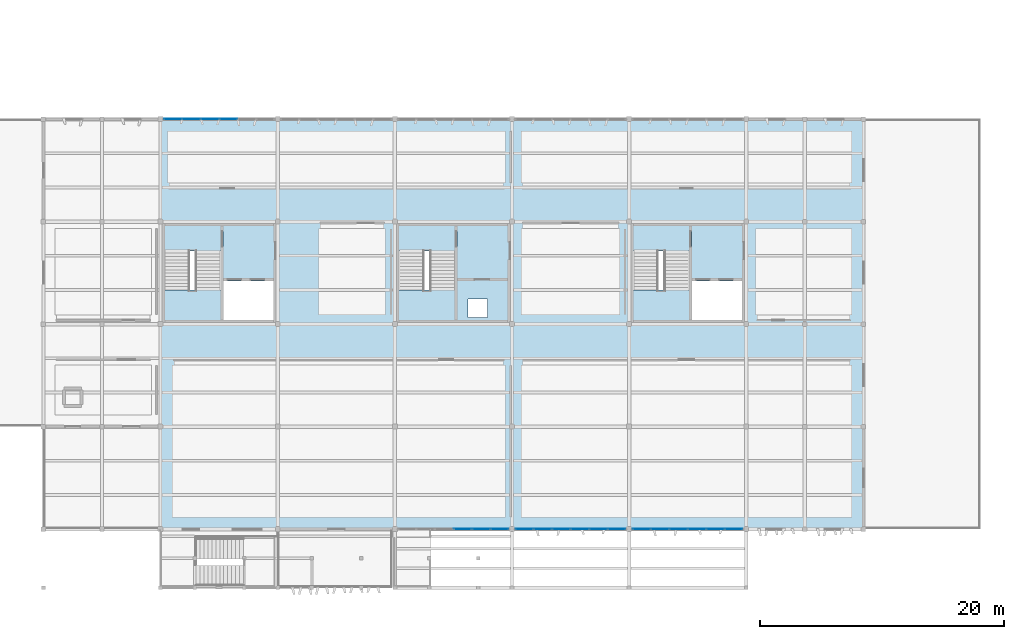
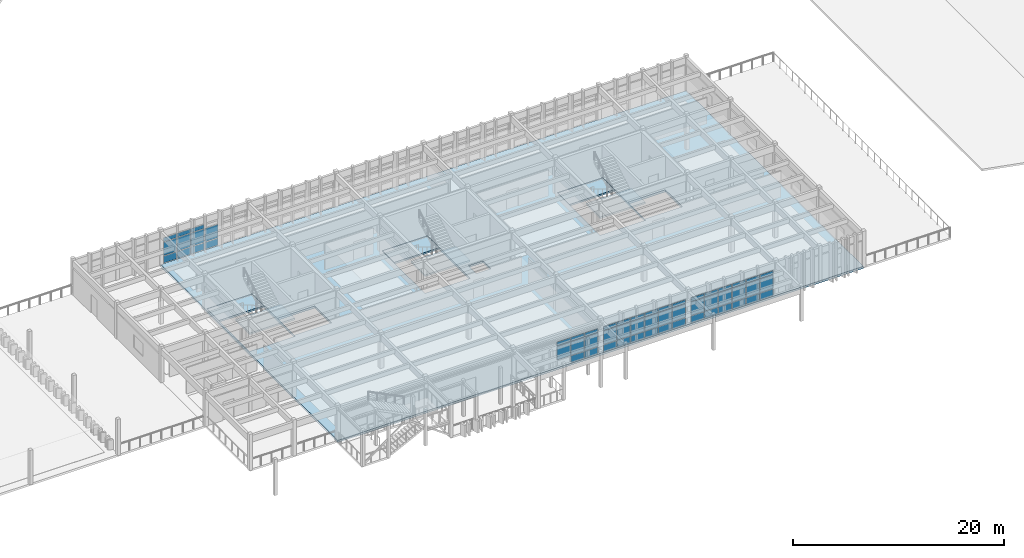
# One storey, part 19 of 42: 55 plates, 7 slabs, 7 elements without a shape of their own.
"""IFC4 building model written with IfcOpenShell, lengths in metres."""

from ifc_helpers import new_model, si_unit, direction, frame, origin, origin_2d, place, context, subcontext, project, spatial, polyline, rectangle, outline, extrude, material, layer, layer_set, type_object, element, aggregate, save


model = new_model("IFC4")

# Units and contexts
model_context = context("Model", 3, precision=1e-05, world=origin(), true_north=direction((0.0, 1.0)))
body_context = subcontext(model_context, "Body", "Model", "MODEL_VIEW")
ifc_project = project(units=[si_unit("LENGTHUNIT", "METRE"), si_unit("AREAUNIT", "SQUARE_METRE"), si_unit("VOLUMEUNIT", "CUBIC_METRE"), si_unit("PLANEANGLEUNIT", "RADIAN"), si_unit("MASSUNIT", "GRAM", prefix="KILO")], contexts=[model_context])

# Site, building, storey
site_placement = place(None, origin())
site = spatial("IfcSite", under=ifc_project, at=site_placement, CompositionType="ELEMENT")
building_placement = place(site_placement, origin())
building = spatial("IfcBuilding", under=site, at=building_placement, Name="Kolvemor Railside Polytechnic", CompositionType="ELEMENT")
storey_placement = place(building_placement, frame((0.0, 0.0, 14.39990234375)))
storey = spatial("IfcBuildingStorey", under=building, at=storey_placement, Name="L03", CompositionType="ELEMENT", Elevation=14.39990234375)

# Curtain wall, plates
ifc_material_1 = material(Name="Anodised marine aluminium and laminated low-E glass", Category="aluminium")
ifc_layer_1 = layer(ifc_material_1, 0.179931640625, Name="CW-UNIT-STD")
ifc_layer_set_1 = layer_set([ifc_layer_1], Name="Anodised marine aluminium and laminated low-E glass")
curtain_wall_type = type_object("IfcCurtainWallType", Name="CW-UNIT-STD", PredefinedType="USERDEFINED", material=ifc_layer_set_1)
curtain_wall_1_placement = place(storey_placement, origin())
curtain_wall_1 = element("IfcCurtainWall", 1, at=curtain_wall_1_placement, inside=storey, type_object=curtain_wall_type, Name="Curtain Wall L03-101", ObjectType="UNITISED CURTAIN WALL", PredefinedType="USERDEFINED")
ifc_material_2 = material(Name="Hurricane-laminated solar-control low-E glass", Category="glass")
ifc_layer_2 = layer(ifc_material_2, 0.033935546875, Name="CWP-GLZ-07")
ifc_layer_set_2 = layer_set([ifc_layer_2], Name="Hurricane-laminated solar-control low-E glass")
plate_type_1 = type_object("IfcPlateType", Name="CWP-GLZ-07", PredefinedType="CURTAIN_PANEL", material=ifc_layer_set_2)
plate_1_placement = place(storey_placement, frame((91.9599609375, 4.800048828125, 0.937744140625), z_axis=(0.0, 0.0, 1.0), x_axis=(1.0, 0.0, 0.0)))
plate_1 = element("IfcPlate", 2, at=plate_1_placement, type_object=plate_type_1, Name="CW-STD panel 4.2", PredefinedType="CURTAIN_PANEL", context=body_context, shape_type="SweptSolid", body=[
    extrude(rectangle(XDim=1.445068359375, YDim=0.033935546875, at=origin_2d()), origin(), (0.0, 0.0, 1.0), 1.52490234375),
])
plate_2_placement = place(storey_placement, frame((91.9599609375, 4.800048828125, 2.53759765625), z_axis=(0.0, 0.0, 1.0), x_axis=(1.0, 0.0, 0.0)))
plate_2 = element("IfcPlate", 3, at=plate_2_placement, type_object=plate_type_1, Name="CW-STD panel 4.3", PredefinedType="CURTAIN_PANEL", context=body_context, shape_type="SweptSolid", body=[
    extrude(rectangle(XDim=1.445068359375, YDim=0.033935546875, at=origin_2d()), origin(), (0.0, 0.0, 1.0), 0.4375),
])
plate_3_placement = place(storey_placement, frame((93.47998046875, 4.800048828125, 0.074951171875), z_axis=(0.0, 0.0, 1.0), x_axis=(1.0, 0.0, 0.0)))
plate_3 = element("IfcPlate", 4, at=plate_3_placement, type_object=plate_type_1, Name="CW-STD panel 5.1", PredefinedType="CURTAIN_PANEL", context=body_context, shape_type="SweptSolid", body=[
    extrude(rectangle(XDim=1.445068359375, YDim=0.033935546875, at=origin_2d()), origin(), (0.0, 0.0, 1.0), 0.78759765625),
])
plate_4_placement = place(storey_placement, frame((93.47998046875, 4.800048828125, 0.937744140625), z_axis=(0.0, 0.0, 1.0), x_axis=(1.0, 0.0, 0.0)))
plate_4 = element("IfcPlate", 5, at=plate_4_placement, type_object=plate_type_1, Name="CW-STD panel 5.2", PredefinedType="CURTAIN_PANEL", context=body_context, shape_type="SweptSolid", body=[
    extrude(rectangle(XDim=1.445068359375, YDim=0.033935546875, at=origin_2d()), origin(), (0.0, 0.0, 1.0), 1.52490234375),
])
plate_5_placement = place(storey_placement, frame((93.47998046875, 4.800048828125, 2.53759765625), z_axis=(0.0, 0.0, 1.0), x_axis=(1.0, 0.0, 0.0)))
plate_5 = element("IfcPlate", 6, at=plate_5_placement, type_object=plate_type_1, Name="CW-STD panel 5.3", PredefinedType="CURTAIN_PANEL", context=body_context, shape_type="SweptSolid", body=[
    extrude(rectangle(XDim=1.445068359375, YDim=0.033935546875, at=origin_2d()), origin(), (0.0, 0.0, 1.0), 0.4375),
])
plate_6_placement = place(storey_placement, frame((94.981201171875, 4.800048828125, 0.074951171875), z_axis=(0.0, 0.0, 1.0), x_axis=(1.0, 0.0, 0.0)))
plate_6 = element("IfcPlate", 7, at=plate_6_placement, type_object=plate_type_1, Name="CW-STD panel 6.1", PredefinedType="CURTAIN_PANEL", context=body_context, shape_type="SweptSolid", body=[
    extrude(rectangle(XDim=1.407470703125, YDim=0.033935546875, at=origin_2d()), origin(), (0.0, 0.0, 1.0), 0.78759765625),
])
plate_7_placement = place(storey_placement, frame((94.981201171875, 4.800048828125, 0.937744140625), z_axis=(0.0, 0.0, 1.0), x_axis=(1.0, 0.0, 0.0)))
plate_7 = element("IfcPlate", 8, at=plate_7_placement, type_object=plate_type_1, Name="CW-STD panel 6.2", PredefinedType="CURTAIN_PANEL", context=body_context, shape_type="SweptSolid", body=[
    extrude(rectangle(XDim=1.407470703125, YDim=0.033935546875, at=origin_2d()), origin(), (0.0, 0.0, 1.0), 1.52490234375),
])
plate_8_placement = place(storey_placement, frame((94.981201171875, 4.800048828125, 2.53759765625), z_axis=(0.0, 0.0, 1.0), x_axis=(1.0, 0.0, 0.0)))
plate_8 = element("IfcPlate", 9, at=plate_8_placement, type_object=plate_type_1, Name="CW-STD panel 6.3", PredefinedType="CURTAIN_PANEL", context=body_context, shape_type="SweptSolid", body=[
    extrude(rectangle(XDim=1.407470703125, YDim=0.033935546875, at=origin_2d()), origin(), (0.0, 0.0, 1.0), 0.4375),
])
aggregate(curtain_wall_1, [plate_1, plate_2, plate_3, plate_4, plate_5, plate_6, plate_7, plate_8])

curtain_wall_2_placement = place(storey_placement, origin())
curtain_wall_2 = element("IfcCurtainWall", 10, at=curtain_wall_2_placement, inside=storey, type_object=curtain_wall_type, Name="Curtain Wall L03-126", ObjectType="UNITISED CURTAIN WALL", PredefinedType="USERDEFINED")
plate_9_placement = place(storey_placement, frame((72.760009765625, 38.39990234375, 0.06494140625), z_axis=(0.0, 0.0, 1.0), x_axis=(-1.0, 0.0, 0.0)))
plate_9 = element("IfcPlate", 11, at=plate_9_placement, type_object=plate_type_1, Name="CW-STD panel 3.1", PredefinedType="CURTAIN_PANEL", context=body_context, shape_type="SweptSolid", body=[
    extrude(rectangle(XDim=1.455078125, YDim=0.033935546875, at=origin_2d()), origin(), (0.0, 0.0, 1.0), 0.802490234375),
])
plate_10_placement = place(storey_placement, frame((72.760009765625, 38.39990234375, 0.9326171875), z_axis=(0.0, 0.0, 1.0), x_axis=(-1.0, 0.0, 0.0)))
plate_10 = element("IfcPlate", 12, at=plate_10_placement, type_object=plate_type_1, Name="CW-STD panel 3.2", PredefinedType="CURTAIN_PANEL", context=body_context, shape_type="SweptSolid", body=[
    extrude(rectangle(XDim=1.455078125, YDim=0.033935546875, at=origin_2d()), origin(), (0.0, 0.0, 1.0), 1.534912109375),
])
plate_11_placement = place(storey_placement, frame((71.239990234375, 38.39990234375, 0.06494140625), z_axis=(0.0, 0.0, 1.0), x_axis=(-1.0, 0.0, 0.0)))
plate_11 = element("IfcPlate", 13, at=plate_11_placement, type_object=plate_type_1, Name="CW-STD panel 4.1", PredefinedType="CURTAIN_PANEL", context=body_context, shape_type="SweptSolid", body=[
    extrude(rectangle(XDim=1.455078125, YDim=0.033935546875, at=origin_2d()), origin(), (0.0, 0.0, 1.0), 0.802490234375),
])
plate_12_placement = place(storey_placement, frame((71.239990234375, 38.39990234375, 0.9326171875), z_axis=(0.0, 0.0, 1.0), x_axis=(-1.0, 0.0, 0.0)))
plate_12 = element("IfcPlate", 14, at=plate_12_placement, type_object=plate_type_1, Name="CW-STD panel 4.2", PredefinedType="CURTAIN_PANEL", context=body_context, shape_type="SweptSolid", body=[
    extrude(rectangle(XDim=1.455078125, YDim=0.033935546875, at=origin_2d()), origin(), (0.0, 0.0, 1.0), 1.534912109375),
])
plate_13_placement = place(storey_placement, frame((71.239990234375, 38.39990234375, 2.53271484375), z_axis=(0.0, 0.0, 1.0), x_axis=(-1.0, 0.0, 0.0)))
plate_13 = element("IfcPlate", 15, at=plate_13_placement, type_object=plate_type_1, Name="CW-STD panel 4.3", PredefinedType="CURTAIN_PANEL", context=body_context, shape_type="SweptSolid", body=[
    extrude(rectangle(XDim=1.455078125, YDim=0.033935546875, at=origin_2d()), origin(), (0.0, 0.0, 1.0), 0.452392578125),
])
plate_14_placement = place(storey_placement, frame((69.719970703125, 38.39990234375, 0.06494140625), z_axis=(0.0, 0.0, 1.0), x_axis=(-1.0, 0.0, 0.0)))
plate_14 = element("IfcPlate", 16, at=plate_14_placement, type_object=plate_type_1, Name="CW-STD panel 5.1", PredefinedType="CURTAIN_PANEL", context=body_context, shape_type="SweptSolid", body=[
    extrude(rectangle(XDim=1.455078125, YDim=0.033935546875, at=origin_2d()), origin(), (0.0, 0.0, 1.0), 0.802490234375),
])
plate_15_placement = place(storey_placement, frame((69.719970703125, 38.39990234375, 0.9326171875), z_axis=(0.0, 0.0, 1.0), x_axis=(-1.0, 0.0, 0.0)))
plate_15 = element("IfcPlate", 17, at=plate_15_placement, type_object=plate_type_1, Name="CW-STD panel 5.2", PredefinedType="CURTAIN_PANEL", context=body_context, shape_type="SweptSolid", body=[
    extrude(rectangle(XDim=1.455078125, YDim=0.033935546875, at=origin_2d()), origin(), (0.0, 0.0, 1.0), 1.534912109375),
])
plate_16_placement = place(storey_placement, frame((69.719970703125, 38.39990234375, 2.53271484375), z_axis=(0.0, 0.0, 1.0), x_axis=(-1.0, 0.0, 0.0)))
plate_16 = element("IfcPlate", 18, at=plate_16_placement, type_object=plate_type_1, Name="CW-STD panel 5.3", PredefinedType="CURTAIN_PANEL", context=body_context, shape_type="SweptSolid", body=[
    extrude(rectangle(XDim=1.455078125, YDim=0.033935546875, at=origin_2d()), origin(), (0.0, 0.0, 1.0), 0.452392578125),
])
plate_17_placement = place(storey_placement, frame((68.21630859375, 38.39990234375, 0.06494140625), z_axis=(0.0, 0.0, 1.0), x_axis=(-1.0, 0.0, 0.0)))
plate_17 = element("IfcPlate", 19, at=plate_17_placement, type_object=plate_type_1, Name="CW-STD panel 6.1", PredefinedType="CURTAIN_PANEL", context=body_context, shape_type="SweptSolid", body=[
    extrude(rectangle(XDim=1.422607421875, YDim=0.033935546875, at=origin_2d()), origin(), (0.0, 0.0, 1.0), 0.802490234375),
])
plate_18_placement = place(storey_placement, frame((68.21630859375, 38.39990234375, 0.9326171875), z_axis=(0.0, 0.0, 1.0), x_axis=(-1.0, 0.0, 0.0)))
plate_18 = element("IfcPlate", 20, at=plate_18_placement, type_object=plate_type_1, Name="CW-STD panel 6.2", PredefinedType="CURTAIN_PANEL", context=body_context, shape_type="SweptSolid", body=[
    extrude(rectangle(XDim=1.422607421875, YDim=0.033935546875, at=origin_2d()), origin(), (0.0, 0.0, 1.0), 1.534912109375),
])
plate_19_placement = place(storey_placement, frame((68.21630859375, 38.39990234375, 2.53271484375), z_axis=(0.0, 0.0, 1.0), x_axis=(-1.0, 0.0, 0.0)))
plate_19 = element("IfcPlate", 21, at=plate_19_placement, type_object=plate_type_1, Name="CW-STD panel 6.3", PredefinedType="CURTAIN_PANEL", context=body_context, shape_type="SweptSolid", body=[
    extrude(rectangle(XDim=1.422607421875, YDim=0.033935546875, at=origin_2d()), origin(), (0.0, 0.0, 1.0), 0.452392578125),
])
aggregate(curtain_wall_2, [plate_9, plate_10, plate_11, plate_12, plate_13, plate_14, plate_15, plate_16, plate_17, plate_18, plate_19])

curtain_wall_3_placement = place(storey_placement, origin())
curtain_wall_3 = element("IfcCurtainWall", 22, at=curtain_wall_3_placement, inside=storey, type_object=curtain_wall_type, Name="Curtain Wall L03-102", ObjectType="UNITISED CURTAIN WALL", PredefinedType="USERDEFINED")
ifc_material_3 = material(Name="Hurricane-laminated solar-control low-E glass", Category="glass")
ifc_layer_3 = layer(ifc_material_3, 0.035888671875, Name="CWP-GLZ-08")
ifc_layer_set_3 = layer_set([ifc_layer_3], Name="Hurricane-laminated solar-control low-E glass")
plate_type_2 = type_object("IfcPlateType", Name="CWP-GLZ-08", PredefinedType="CURTAIN_PANEL", material=ifc_layer_set_3)
plate_20_placement = place(storey_placement, frame((97.018798828125, 4.800048828125, 0.074951171875), z_axis=(0.0, 0.0, 1.0), x_axis=(1.0, 0.0, 0.0)))
plate_20 = element("IfcPlate", 23, at=plate_20_placement, type_object=plate_type_2, Name="CW-STD panel 1.1", PredefinedType="CURTAIN_PANEL", context=body_context, shape_type="SweptSolid", body=[
    extrude(rectangle(XDim=1.407470703125, YDim=0.035888671875, at=origin_2d()), origin(), (0.0, 0.0, 1.0), 0.78759765625),
])
plate_21_placement = place(storey_placement, frame((97.018798828125, 4.800048828125, 0.937744140625), z_axis=(0.0, 0.0, 1.0), x_axis=(1.0, 0.0, 0.0)))
plate_21 = element("IfcPlate", 24, at=plate_21_placement, type_object=plate_type_2, Name="CW-STD panel 1.2", PredefinedType="CURTAIN_PANEL", context=body_context, shape_type="SweptSolid", body=[
    extrude(rectangle(XDim=1.407470703125, YDim=0.035888671875, at=origin_2d()), origin(), (0.0, 0.0, 1.0), 1.52490234375),
])
plate_22_placement = place(storey_placement, frame((97.018798828125, 4.800048828125, 2.53759765625), z_axis=(0.0, 0.0, 1.0), x_axis=(1.0, 0.0, 0.0)))
plate_22 = element("IfcPlate", 25, at=plate_22_placement, type_object=plate_type_2, Name="CW-STD panel 1.3", PredefinedType="CURTAIN_PANEL", context=body_context, shape_type="SweptSolid", body=[
    extrude(rectangle(XDim=1.407470703125, YDim=0.035888671875, at=origin_2d()), origin(), (0.0, 0.0, 1.0), 0.4375),
])
plate_23_placement = place(storey_placement, frame((98.52001953125, 4.800048828125, 0.074951171875), z_axis=(0.0, 0.0, 1.0), x_axis=(1.0, 0.0, 0.0)))
plate_23 = element("IfcPlate", 26, at=plate_23_placement, type_object=plate_type_2, Name="CW-STD panel 2.1", PredefinedType="CURTAIN_PANEL", context=body_context, shape_type="SweptSolid", body=[
    extrude(rectangle(XDim=1.445068359375, YDim=0.035888671875, at=origin_2d()), origin(), (0.0, 0.0, 1.0), 0.78759765625),
])
plate_24_placement = place(storey_placement, frame((98.52001953125, 4.800048828125, 0.937744140625), z_axis=(0.0, 0.0, 1.0), x_axis=(1.0, 0.0, 0.0)))
plate_24 = element("IfcPlate", 27, at=plate_24_placement, type_object=plate_type_2, Name="CW-STD panel 2.2", PredefinedType="CURTAIN_PANEL", context=body_context, shape_type="SweptSolid", body=[
    extrude(rectangle(XDim=1.445068359375, YDim=0.035888671875, at=origin_2d()), origin(), (0.0, 0.0, 1.0), 1.52490234375),
])
plate_25_placement = place(storey_placement, frame((98.52001953125, 4.800048828125, 2.53759765625), z_axis=(0.0, 0.0, 1.0), x_axis=(1.0, 0.0, 0.0)))
plate_25 = element("IfcPlate", 28, at=plate_25_placement, type_object=plate_type_2, Name="CW-STD panel 2.3", PredefinedType="CURTAIN_PANEL", context=body_context, shape_type="SweptSolid", body=[
    extrude(rectangle(XDim=1.445068359375, YDim=0.035888671875, at=origin_2d()), origin(), (0.0, 0.0, 1.0), 0.4375),
])
plate_26_placement = place(storey_placement, frame((100.0400390625, 4.800048828125, 0.074951171875), z_axis=(0.0, 0.0, 1.0), x_axis=(1.0, 0.0, 0.0)))
plate_26 = element("IfcPlate", 29, at=plate_26_placement, type_object=plate_type_2, Name="CW-STD panel 3.1", PredefinedType="CURTAIN_PANEL", context=body_context, shape_type="SweptSolid", body=[
    extrude(rectangle(XDim=1.445068359375, YDim=0.035888671875, at=origin_2d()), origin(), (0.0, 0.0, 1.0), 0.78759765625),
])
plate_27_placement = place(storey_placement, frame((100.0400390625, 4.800048828125, 0.937744140625), z_axis=(0.0, 0.0, 1.0), x_axis=(1.0, 0.0, 0.0)))
plate_27 = element("IfcPlate", 30, at=plate_27_placement, type_object=plate_type_2, Name="CW-STD panel 3.2", PredefinedType="CURTAIN_PANEL", context=body_context, shape_type="SweptSolid", body=[
    extrude(rectangle(XDim=1.445068359375, YDim=0.035888671875, at=origin_2d()), origin(), (0.0, 0.0, 1.0), 1.52490234375),
])
plate_28_placement = place(storey_placement, frame((100.0400390625, 4.800048828125, 2.53759765625), z_axis=(0.0, 0.0, 1.0), x_axis=(1.0, 0.0, 0.0)))
plate_28 = element("IfcPlate", 31, at=plate_28_placement, type_object=plate_type_2, Name="CW-STD panel 3.3", PredefinedType="CURTAIN_PANEL", context=body_context, shape_type="SweptSolid", body=[
    extrude(rectangle(XDim=1.445068359375, YDim=0.035888671875, at=origin_2d()), origin(), (0.0, 0.0, 1.0), 0.4375),
])
plate_29_placement = place(storey_placement, frame((101.56005859375, 4.800048828125, 0.074951171875), z_axis=(0.0, 0.0, 1.0), x_axis=(1.0, 0.0, 0.0)))
plate_29 = element("IfcPlate", 32, at=plate_29_placement, type_object=plate_type_2, Name="CW-STD panel 4.1", PredefinedType="CURTAIN_PANEL", context=body_context, shape_type="SweptSolid", body=[
    extrude(rectangle(XDim=1.445068359375, YDim=0.035888671875, at=origin_2d()), origin(), (0.0, 0.0, 1.0), 0.78759765625),
])
plate_30_placement = place(storey_placement, frame((101.56005859375, 4.800048828125, 0.937744140625), z_axis=(0.0, 0.0, 1.0), x_axis=(1.0, 0.0, 0.0)))
plate_30 = element("IfcPlate", 33, at=plate_30_placement, type_object=plate_type_2, Name="CW-STD panel 4.2", PredefinedType="CURTAIN_PANEL", context=body_context, shape_type="SweptSolid", body=[
    extrude(rectangle(XDim=1.445068359375, YDim=0.035888671875, at=origin_2d()), origin(), (0.0, 0.0, 1.0), 1.52490234375),
])
plate_31_placement = place(storey_placement, frame((101.56005859375, 4.800048828125, 2.53759765625), z_axis=(0.0, 0.0, 1.0), x_axis=(1.0, 0.0, 0.0)))
plate_31 = element("IfcPlate", 34, at=plate_31_placement, type_object=plate_type_2, Name="CW-STD panel 4.3", PredefinedType="CURTAIN_PANEL", context=body_context, shape_type="SweptSolid", body=[
    extrude(rectangle(XDim=1.445068359375, YDim=0.035888671875, at=origin_2d()), origin(), (0.0, 0.0, 1.0), 0.4375),
])
plate_32_placement = place(storey_placement, frame((103.080078125, 4.800048828125, 0.074951171875), z_axis=(0.0, 0.0, 1.0), x_axis=(1.0, 0.0, 0.0)))
plate_32 = element("IfcPlate", 35, at=plate_32_placement, type_object=plate_type_2, Name="CW-STD panel 5.1", PredefinedType="CURTAIN_PANEL", context=body_context, shape_type="SweptSolid", body=[
    extrude(rectangle(XDim=1.445068359375, YDim=0.035888671875, at=origin_2d()), origin(), (0.0, 0.0, 1.0), 0.78759765625),
])
plate_33_placement = place(storey_placement, frame((103.080078125, 4.800048828125, 0.937744140625), z_axis=(0.0, 0.0, 1.0), x_axis=(1.0, 0.0, 0.0)))
plate_33 = element("IfcPlate", 36, at=plate_33_placement, type_object=plate_type_2, Name="CW-STD panel 5.2", PredefinedType="CURTAIN_PANEL", context=body_context, shape_type="SweptSolid", body=[
    extrude(rectangle(XDim=1.445068359375, YDim=0.035888671875, at=origin_2d()), origin(), (0.0, 0.0, 1.0), 1.52490234375),
])
plate_34_placement = place(storey_placement, frame((103.080078125, 4.800048828125, 2.53759765625), z_axis=(0.0, 0.0, 1.0), x_axis=(1.0, 0.0, 0.0)))
plate_34 = element("IfcPlate", 37, at=plate_34_placement, type_object=plate_type_2, Name="CW-STD panel 5.3", PredefinedType="CURTAIN_PANEL", context=body_context, shape_type="SweptSolid", body=[
    extrude(rectangle(XDim=1.445068359375, YDim=0.035888671875, at=origin_2d()), origin(), (0.0, 0.0, 1.0), 0.4375),
])
plate_35_placement = place(storey_placement, frame((104.581298828125, 4.800048828125, 0.074951171875), z_axis=(0.0, 0.0, 1.0), x_axis=(1.0, 0.0, 0.0)))
plate_35 = element("IfcPlate", 38, at=plate_35_placement, type_object=plate_type_2, Name="CW-STD panel 6.1", PredefinedType="CURTAIN_PANEL", context=body_context, shape_type="SweptSolid", body=[
    extrude(rectangle(XDim=1.407470703125, YDim=0.035888671875, at=origin_2d()), origin(), (0.0, 0.0, 1.0), 0.78759765625),
])
plate_36_placement = place(storey_placement, frame((104.581298828125, 4.800048828125, 0.937744140625), z_axis=(0.0, 0.0, 1.0), x_axis=(1.0, 0.0, 0.0)))
plate_36 = element("IfcPlate", 39, at=plate_36_placement, type_object=plate_type_2, Name="CW-STD panel 6.2", PredefinedType="CURTAIN_PANEL", context=body_context, shape_type="SweptSolid", body=[
    extrude(rectangle(XDim=1.407470703125, YDim=0.035888671875, at=origin_2d()), origin(), (0.0, 0.0, 1.0), 1.52490234375),
])
plate_37_placement = place(storey_placement, frame((104.581298828125, 4.800048828125, 2.53759765625), z_axis=(0.0, 0.0, 1.0), x_axis=(1.0, 0.0, 0.0)))
plate_37 = element("IfcPlate", 40, at=plate_37_placement, type_object=plate_type_2, Name="CW-STD panel 6.3", PredefinedType="CURTAIN_PANEL", context=body_context, shape_type="SweptSolid", body=[
    extrude(rectangle(XDim=1.407470703125, YDim=0.035888671875, at=origin_2d()), origin(), (0.0, 0.0, 1.0), 0.4375),
])
aggregate(curtain_wall_3, [plate_20, plate_21, plate_22, plate_23, plate_24, plate_25, plate_26, plate_27, plate_28, plate_29, plate_30, plate_31, plate_32, plate_33, plate_34, plate_35, plate_36, plate_37])

curtain_wall_4_placement = place(storey_placement, origin())
curtain_wall_4 = element("IfcCurtainWall", 41, at=curtain_wall_4_placement, inside=storey, type_object=curtain_wall_type, Name="Curtain Wall L03-103", ObjectType="UNITISED CURTAIN WALL", PredefinedType="USERDEFINED")
ifc_material_4 = material(Name="Hurricane-laminated solar-control low-E glass", Category="glass")
ifc_layer_4 = layer(ifc_material_4, 0.0380859375, Name="CWP-GLZ-09")
ifc_layer_set_4 = layer_set([ifc_layer_4], Name="Hurricane-laminated solar-control low-E glass")
plate_type_3 = type_object("IfcPlateType", Name="CWP-GLZ-09", PredefinedType="CURTAIN_PANEL", material=ifc_layer_set_4)
plate_38_placement = place(storey_placement, frame((106.61865234375, 4.800048828125, 0.074951171875), z_axis=(0.0, 0.0, 1.0), x_axis=(1.0, 0.0, 0.0)))
plate_38 = element("IfcPlate", 42, at=plate_38_placement, type_object=plate_type_3, Name="CW-STD panel 1.1", PredefinedType="CURTAIN_PANEL", context=body_context, shape_type="SweptSolid", body=[
    extrude(rectangle(XDim=1.407470703125, YDim=0.0380859375, at=origin_2d()), origin(), (0.0, 0.0, 1.0), 0.78759765625),
])
plate_39_placement = place(storey_placement, frame((106.61865234375, 4.800048828125, 0.937744140625), z_axis=(0.0, 0.0, 1.0), x_axis=(1.0, 0.0, 0.0)))
plate_39 = element("IfcPlate", 43, at=plate_39_placement, type_object=plate_type_3, Name="CW-STD panel 1.2", PredefinedType="CURTAIN_PANEL", context=body_context, shape_type="SweptSolid", body=[
    extrude(rectangle(XDim=1.407470703125, YDim=0.0380859375, at=origin_2d()), origin(), (0.0, 0.0, 1.0), 1.52490234375),
])
plate_40_placement = place(storey_placement, frame((106.61865234375, 4.800048828125, 2.53759765625), z_axis=(0.0, 0.0, 1.0), x_axis=(1.0, 0.0, 0.0)))
plate_40 = element("IfcPlate", 44, at=plate_40_placement, type_object=plate_type_3, Name="CW-STD panel 1.3", PredefinedType="CURTAIN_PANEL", context=body_context, shape_type="SweptSolid", body=[
    extrude(rectangle(XDim=1.407470703125, YDim=0.0380859375, at=origin_2d()), origin(), (0.0, 0.0, 1.0), 0.4375),
])
plate_41_placement = place(storey_placement, frame((108.1201171875, 4.800048828125, 0.074951171875), z_axis=(0.0, 0.0, 1.0), x_axis=(1.0, 0.0, 0.0)))
plate_41 = element("IfcPlate", 45, at=plate_41_placement, type_object=plate_type_3, Name="CW-STD panel 2.1", PredefinedType="CURTAIN_PANEL", context=body_context, shape_type="SweptSolid", body=[
    extrude(rectangle(XDim=1.445068359375, YDim=0.0380859375, at=origin_2d()), origin(), (0.0, 0.0, 1.0), 0.78759765625),
])
plate_42_placement = place(storey_placement, frame((108.1201171875, 4.800048828125, 0.937744140625), z_axis=(0.0, 0.0, 1.0), x_axis=(1.0, 0.0, 0.0)))
plate_42 = element("IfcPlate", 46, at=plate_42_placement, type_object=plate_type_3, Name="CW-STD panel 2.2", PredefinedType="CURTAIN_PANEL", context=body_context, shape_type="SweptSolid", body=[
    extrude(rectangle(XDim=1.445068359375, YDim=0.0380859375, at=origin_2d()), origin(), (0.0, 0.0, 1.0), 1.52490234375),
])
plate_43_placement = place(storey_placement, frame((108.1201171875, 4.800048828125, 2.53759765625), z_axis=(0.0, 0.0, 1.0), x_axis=(1.0, 0.0, 0.0)))
plate_43 = element("IfcPlate", 47, at=plate_43_placement, type_object=plate_type_3, Name="CW-STD panel 2.3", PredefinedType="CURTAIN_PANEL", context=body_context, shape_type="SweptSolid", body=[
    extrude(rectangle(XDim=1.445068359375, YDim=0.0380859375, at=origin_2d()), origin(), (0.0, 0.0, 1.0), 0.4375),
])
plate_44_placement = place(storey_placement, frame((109.639892578125, 4.800048828125, 0.074951171875), z_axis=(0.0, 0.0, 1.0), x_axis=(1.0, 0.0, 0.0)))
plate_44 = element("IfcPlate", 48, at=plate_44_placement, type_object=plate_type_3, Name="CW-STD panel 3.1", PredefinedType="CURTAIN_PANEL", context=body_context, shape_type="SweptSolid", body=[
    extrude(rectangle(XDim=1.445068359375, YDim=0.0380859375, at=origin_2d()), origin(), (0.0, 0.0, 1.0), 0.78759765625),
])
plate_45_placement = place(storey_placement, frame((109.639892578125, 4.800048828125, 0.937744140625), z_axis=(0.0, 0.0, 1.0), x_axis=(1.0, 0.0, 0.0)))
plate_45 = element("IfcPlate", 49, at=plate_45_placement, type_object=plate_type_3, Name="CW-STD panel 3.2", PredefinedType="CURTAIN_PANEL", context=body_context, shape_type="SweptSolid", body=[
    extrude(rectangle(XDim=1.445068359375, YDim=0.0380859375, at=origin_2d()), origin(), (0.0, 0.0, 1.0), 1.52490234375),
])
plate_46_placement = place(storey_placement, frame((109.639892578125, 4.800048828125, 2.53759765625), z_axis=(0.0, 0.0, 1.0), x_axis=(1.0, 0.0, 0.0)))
plate_46 = element("IfcPlate", 50, at=plate_46_placement, type_object=plate_type_3, Name="CW-STD panel 3.3", PredefinedType="CURTAIN_PANEL", context=body_context, shape_type="SweptSolid", body=[
    extrude(rectangle(XDim=1.445068359375, YDim=0.0380859375, at=origin_2d()), origin(), (0.0, 0.0, 1.0), 0.4375),
])
plate_47_placement = place(storey_placement, frame((111.159912109375, 4.800048828125, 0.074951171875), z_axis=(0.0, 0.0, 1.0), x_axis=(1.0, 0.0, 0.0)))
plate_47 = element("IfcPlate", 51, at=plate_47_placement, type_object=plate_type_3, Name="CW-STD panel 4.1", PredefinedType="CURTAIN_PANEL", context=body_context, shape_type="SweptSolid", body=[
    extrude(rectangle(XDim=1.445068359375, YDim=0.0380859375, at=origin_2d()), origin(), (0.0, 0.0, 1.0), 0.78759765625),
])
plate_48_placement = place(storey_placement, frame((111.159912109375, 4.800048828125, 0.937744140625), z_axis=(0.0, 0.0, 1.0), x_axis=(1.0, 0.0, 0.0)))
plate_48 = element("IfcPlate", 52, at=plate_48_placement, type_object=plate_type_3, Name="CW-STD panel 4.2", PredefinedType="CURTAIN_PANEL", context=body_context, shape_type="SweptSolid", body=[
    extrude(rectangle(XDim=1.445068359375, YDim=0.0380859375, at=origin_2d()), origin(), (0.0, 0.0, 1.0), 1.52490234375),
])
plate_49_placement = place(storey_placement, frame((111.159912109375, 4.800048828125, 2.53759765625), z_axis=(0.0, 0.0, 1.0), x_axis=(1.0, 0.0, 0.0)))
plate_49 = element("IfcPlate", 53, at=plate_49_placement, type_object=plate_type_3, Name="CW-STD panel 4.3", PredefinedType="CURTAIN_PANEL", context=body_context, shape_type="SweptSolid", body=[
    extrude(rectangle(XDim=1.445068359375, YDim=0.0380859375, at=origin_2d()), origin(), (0.0, 0.0, 1.0), 0.4375),
])
plate_50_placement = place(storey_placement, frame((112.679931640625, 4.800048828125, 0.074951171875), z_axis=(0.0, 0.0, 1.0), x_axis=(1.0, 0.0, 0.0)))
plate_50 = element("IfcPlate", 54, at=plate_50_placement, type_object=plate_type_3, Name="CW-STD panel 5.1", PredefinedType="CURTAIN_PANEL", context=body_context, shape_type="SweptSolid", body=[
    extrude(rectangle(XDim=1.445068359375, YDim=0.0380859375, at=origin_2d()), origin(), (0.0, 0.0, 1.0), 0.78759765625),
])
plate_51_placement = place(storey_placement, frame((112.679931640625, 4.800048828125, 0.937744140625), z_axis=(0.0, 0.0, 1.0), x_axis=(1.0, 0.0, 0.0)))
plate_51 = element("IfcPlate", 55, at=plate_51_placement, type_object=plate_type_3, Name="CW-STD panel 5.2", PredefinedType="CURTAIN_PANEL", context=body_context, shape_type="SweptSolid", body=[
    extrude(rectangle(XDim=1.445068359375, YDim=0.0380859375, at=origin_2d()), origin(), (0.0, 0.0, 1.0), 1.52490234375),
])
plate_52_placement = place(storey_placement, frame((112.679931640625, 4.800048828125, 2.53759765625), z_axis=(0.0, 0.0, 1.0), x_axis=(1.0, 0.0, 0.0)))
plate_52 = element("IfcPlate", 56, at=plate_52_placement, type_object=plate_type_3, Name="CW-STD panel 5.3", PredefinedType="CURTAIN_PANEL", context=body_context, shape_type="SweptSolid", body=[
    extrude(rectangle(XDim=1.445068359375, YDim=0.0380859375, at=origin_2d()), origin(), (0.0, 0.0, 1.0), 0.4375),
])
plate_53_placement = place(storey_placement, frame((114.18115234375, 4.800048828125, 0.074951171875), z_axis=(0.0, 0.0, 1.0), x_axis=(1.0, 0.0, 0.0)))
plate_53 = element("IfcPlate", 57, at=plate_53_placement, type_object=plate_type_3, Name="CW-STD panel 6.1", PredefinedType="CURTAIN_PANEL", context=body_context, shape_type="SweptSolid", body=[
    extrude(rectangle(XDim=1.407470703125, YDim=0.0380859375, at=origin_2d()), origin(), (0.0, 0.0, 1.0), 0.78759765625),
])
plate_54_placement = place(storey_placement, frame((114.18115234375, 4.800048828125, 0.937744140625), z_axis=(0.0, 0.0, 1.0), x_axis=(1.0, 0.0, 0.0)))
plate_54 = element("IfcPlate", 58, at=plate_54_placement, type_object=plate_type_3, Name="CW-STD panel 6.2", PredefinedType="CURTAIN_PANEL", context=body_context, shape_type="SweptSolid", body=[
    extrude(rectangle(XDim=1.407470703125, YDim=0.0380859375, at=origin_2d()), origin(), (0.0, 0.0, 1.0), 1.52490234375),
])
plate_55_placement = place(storey_placement, frame((114.18115234375, 4.800048828125, 2.53759765625), z_axis=(0.0, 0.0, 1.0), x_axis=(1.0, 0.0, 0.0)))
plate_55 = element("IfcPlate", 59, at=plate_55_placement, type_object=plate_type_3, Name="CW-STD panel 6.3", PredefinedType="CURTAIN_PANEL", context=body_context, shape_type="SweptSolid", body=[
    extrude(rectangle(XDim=1.407470703125, YDim=0.0380859375, at=origin_2d()), origin(), (0.0, 0.0, 1.0), 0.4375),
])
aggregate(curtain_wall_4, [plate_38, plate_39, plate_40, plate_41, plate_42, plate_43, plate_44, plate_45, plate_46, plate_47, plate_48, plate_49, plate_50, plate_51, plate_52, plate_53, plate_54, plate_55])

# Slabs
ifc_material_5 = material(Name="Cross-laminated timber CLT E1", Category="wood")
ifc_layer_5 = layer(ifc_material_5, 0.2451171875, Name="SLB-CLT-245")
ifc_layer_set_5 = layer_set([ifc_layer_5], Name="Cross-laminated timber CLT E1")
slab_type_1 = type_object("IfcSlabType", Name="SLB-CLT-245", PredefinedType="FLOOR", material=ifc_layer_set_5)
slab_1_placement = place(storey_placement, frame((0.0, 0.0, -0.244873046875)))
element("IfcSlab", 60, at=slab_1_placement, inside=storey, type_object=slab_type_1, Name="V2 Shifted Band L03 CLT Slab L03-79", PredefinedType="FLOOR", context=body_context, shape_type="SweptSolid", body=[
    extrude(outline(polyline([(67.199951171875, 4.800048828125), (124.800048828125, 4.800048828125), (124.800048828125, 38.39990234375), (67.199951171875, 38.39990234375), (67.199951171875, 4.800048828125)]), holes=[polyline([(67.340087890625, 21.739990234375), (72.31005859375, 21.739990234375), (72.31005859375, 29.860107421875), (67.340087890625, 29.860107421875), (67.340087890625, 21.739990234375)]), polyline([(72.35009765625, 21.949951171875), (76.449951171875, 21.949951171875), (76.449951171875, 25.14990234375), (72.35009765625, 25.14990234375), (72.35009765625, 21.949951171875)]), polyline([(105.739990234375, 21.739990234375), (110.7099609375, 21.739990234375), (110.7099609375, 29.860107421875), (105.739990234375, 29.860107421875), (105.739990234375, 21.739990234375)]), polyline([(110.75, 21.949951171875), (114.85009765625, 21.949951171875), (114.85009765625, 25.14990234375), (110.75, 25.14990234375), (110.75, 21.949951171875)]), polyline([(86.5400390625, 21.739990234375), (91.510009765625, 21.739990234375), (91.510009765625, 29.860107421875), (86.5400390625, 29.860107421875), (86.5400390625, 21.739990234375)]), polyline([(92.39990234375, 22.14990234375), (94.0, 22.14990234375), (94.0, 23.64990234375), (92.39990234375, 23.64990234375), (92.39990234375, 22.14990234375)])]), origin(), (0.0, 0.0, 1.0), 0.244873046875),
])
ifc_material_6 = material(Name="Concrete C40/50", Category="concrete")
ifc_layer_6 = layer(ifc_material_6, 0.199951171875, Name="SLB-LND-200")
ifc_layer_set_6 = layer_set([ifc_layer_6], Name="Concrete C40/50")
slab_type_2 = type_object("IfcSlabType", Name="SLB-LND-200", PredefinedType="LANDING", material=ifc_layer_set_6)
slab_2_placement = place(storey_placement, frame((0.0, 0.0, -0.199951171875)))
element("IfcSlab", 61, at=slab_2_placement, inside=storey, type_object=slab_type_2, Name="ST-1 Floor Landing L03", PredefinedType="LANDING", context=body_context, shape_type="SweptSolid", body=[
    extrude(outline(polyline([(67.360107421875, 27.60009765625), (72.2900390625, 27.60009765625), (72.2900390625, 29.840087890625), (67.360107421875, 29.840087890625), (67.360107421875, 27.60009765625)])), origin(), (0.0, 0.0, 1.0), 0.199951171875),
])

# Stair, slab
ifc_material_7 = material(Name="Concrete C40/50", Category="concrete")
stair_type = type_object("IfcStairType", Name="STR-CORE-420", PredefinedType="HALF_TURN_STAIR", material=ifc_material_7)
stair_1_placement = place(storey_placement, origin())
stair_1 = element("IfcStair", 62, at=stair_1_placement, inside=storey, type_object=stair_type, Name="Core Stair ST-1 (L03 to L04)", PredefinedType="HALF_TURN_STAIR")
slab_3_placement = place(storey_placement, frame((0.0, 0.0, 1.900146484375)))
slab_3 = element("IfcSlab", 63, at=slab_3_placement, type_object=slab_type_2, Name="ST-1-L03 landing 1", PredefinedType="LANDING", context=body_context, shape_type="SweptSolid", body=[
    extrude(outline(polyline([(67.35009765625, 21.75), (72.300048828125, 21.75), (72.300048828125, 24.39990234375), (67.35009765625, 24.39990234375), (67.35009765625, 21.75)])), origin(), (0.0, 0.0, 1.0), 0.199951171875),
])
aggregate(stair_1, [slab_3])

# Slab
slab_4_placement = place(storey_placement, frame((0.0, 0.0, -0.199951171875)))
element("IfcSlab", 64, at=slab_4_placement, inside=storey, type_object=slab_type_2, Name="ST-2 Floor Landing L03", PredefinedType="LANDING", context=body_context, shape_type="SweptSolid", body=[
    extrude(outline(polyline([(105.760009765625, 27.60009765625), (110.68994140625, 27.60009765625), (110.68994140625, 29.840087890625), (105.760009765625, 29.840087890625), (105.760009765625, 27.60009765625)])), origin(), (0.0, 0.0, 1.0), 0.199951171875),
])

# Stair, slab
stair_2_placement = place(storey_placement, origin())
stair_2 = element("IfcStair", 65, at=stair_2_placement, inside=storey, type_object=stair_type, Name="Core Stair ST-2 (L03 to L04)", PredefinedType="HALF_TURN_STAIR")
slab_5_placement = place(storey_placement, frame((0.0, 0.0, 1.900146484375)))
slab_5 = element("IfcSlab", 66, at=slab_5_placement, type_object=slab_type_2, Name="ST-2-L03 landing 1", PredefinedType="LANDING", context=body_context, shape_type="SweptSolid", body=[
    extrude(outline(polyline([(105.75, 21.75), (110.699951171875, 21.75), (110.699951171875, 24.39990234375), (105.75, 24.39990234375), (105.75, 21.75)])), origin(), (0.0, 0.0, 1.0), 0.199951171875),
])
aggregate(stair_2, [slab_5])

# Slab
slab_6_placement = place(storey_placement, frame((0.0, 0.0, -0.199951171875)))
element("IfcSlab", 67, at=slab_6_placement, inside=storey, type_object=slab_type_2, Name="ST-3 Floor Landing L03", PredefinedType="LANDING", context=body_context, shape_type="SweptSolid", body=[
    extrude(outline(polyline([(86.56005859375, 27.60009765625), (91.489990234375, 27.60009765625), (91.489990234375, 29.840087890625), (86.56005859375, 29.840087890625), (86.56005859375, 27.60009765625)])), origin(), (0.0, 0.0, 1.0), 0.199951171875),
])

# Stair, slab
stair_3_placement = place(storey_placement, origin())
stair_3 = element("IfcStair", 68, at=stair_3_placement, inside=storey, type_object=stair_type, Name="Core Stair ST-3 (L03 to L04)", PredefinedType="HALF_TURN_STAIR")
slab_7_placement = place(storey_placement, frame((0.0, 0.0, 1.900146484375)))
slab_7 = element("IfcSlab", 69, at=slab_7_placement, type_object=slab_type_2, Name="ST-3-L03 landing 1", PredefinedType="LANDING", context=body_context, shape_type="SweptSolid", body=[
    extrude(outline(polyline([(86.550048828125, 21.75), (91.5, 21.75), (91.5, 24.39990234375), (86.550048828125, 24.39990234375), (86.550048828125, 21.75)])), origin(), (0.0, 0.0, 1.0), 0.199951171875),
])
aggregate(stair_3, [slab_7])

save(model, "model.ifc")
